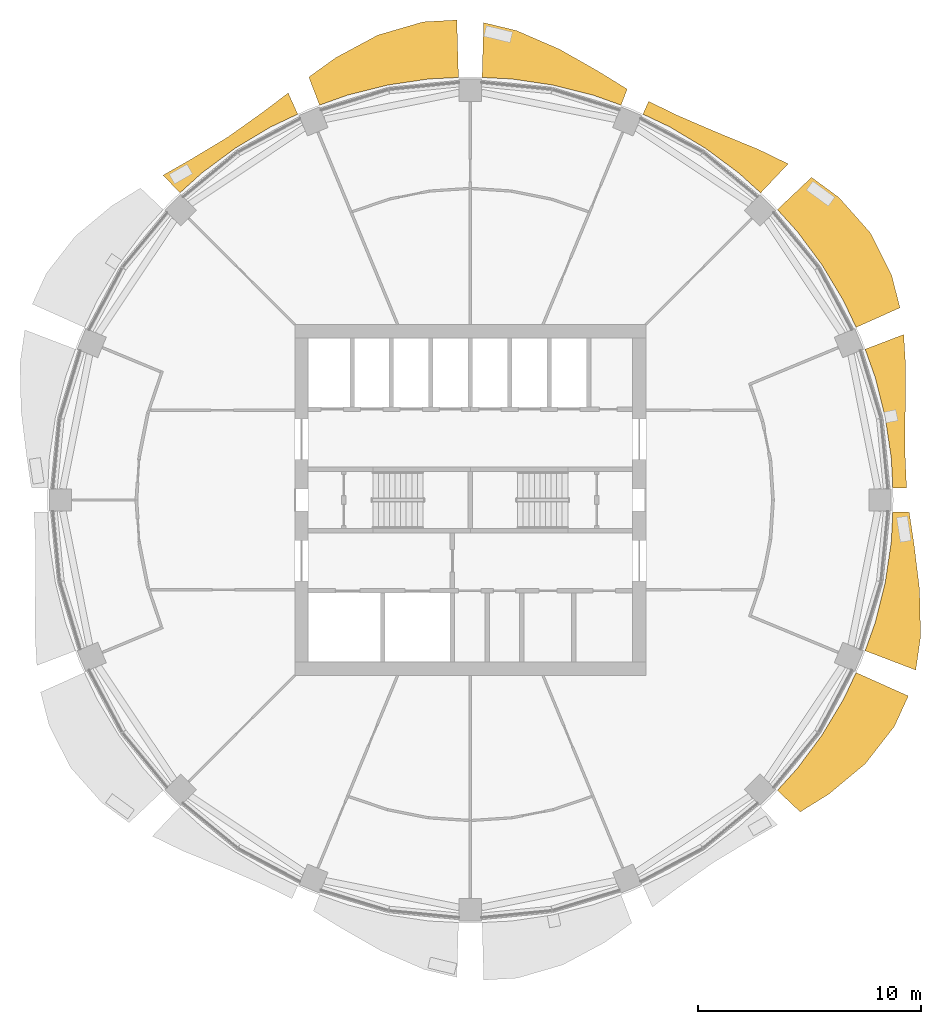
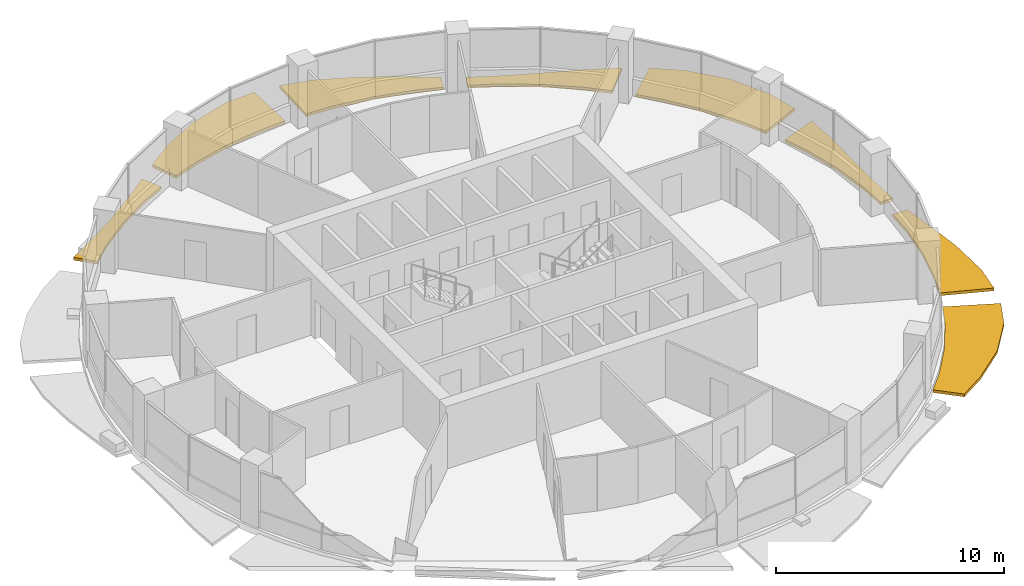
# One storey, part 14 of 15: 8 shading devices.
"""IFC4 building model written with IfcOpenShell, lengths in metres."""

from ifc_helpers import new_model, si_unit, direction, frame, origin, place, context, subcontext, project, spatial, polyline, outline, extrude, material, type_object, element, save


model = new_model("IFC4")

# Units and contexts
model_context = context("Model", 3, precision=1e-05, world=origin(), true_north=direction((0.0, 1.0)))
body_context = subcontext(model_context, "Body", "Model", "MODEL_VIEW")
ifc_project = project(units=[si_unit("LENGTHUNIT", "METRE"), si_unit("AREAUNIT", "SQUARE_METRE"), si_unit("VOLUMEUNIT", "CUBIC_METRE"), si_unit("PLANEANGLEUNIT", "RADIAN"), si_unit("MASSUNIT", "GRAM", prefix="KILO")], contexts=[model_context])

# Site, building, storey
site_placement = place(None, origin())
site = spatial("IfcSite", under=ifc_project, at=site_placement, CompositionType="ELEMENT")
building_placement = place(site_placement, origin())
building = spatial("IfcBuilding", under=site, at=building_placement, Name="Polderwave Tower", CompositionType="ELEMENT")
storey_placement = place(building_placement, frame((0.0, 0.0, 134.35009765625)))
storey = spatial("IfcBuildingStorey", under=building, at=storey_placement, Name="L35", CompositionType="ELEMENT", Elevation=134.35009765625)

# Shading devices
ifc_material = material(Name="Terracotta", Category="masonry")
shading_device_type = type_object("IfcShadingDeviceType", Name="Terracotta sunshade band", PredefinedType="USERDEFINED", material=ifc_material)
shading_device_1_placement = place(storey_placement, frame((0.0, 0.0, -0.35009765625)))
element("IfcShadingDevice", 1, at=shading_device_1_placement, inside=storey, type_object=shading_device_type, Name="Sunshade band L35 1", ObjectType="SUNSHADE", PredefinedType="USERDEFINED", context=body_context, shape_type="SweptSolid", body=[
    extrude(outline(polyline([(18.9541015625, 0.530029296875), (18.888671875, 1.8603515625), (18.615234375, 3.702880859375), (18.16259765625, 5.509521484375), (17.714111328125, 6.763671875), (19.4443359375, 7.42431640625), (19.535400390625, 5.926025390625), (19.51220703125, 3.881103515625), (19.510986328125, 1.921630859375), (19.57275390625, 0.54736328125), (18.9541015625, 0.530029296875)])), origin(), (0.0, 0.0, 1.0), 0.14990234375),
])
shading_device_2_placement = place(storey_placement, frame((0.0, 0.0, -0.35009765625)))
element("IfcShadingDevice", 2, at=shading_device_2_placement, inside=storey, type_object=shading_device_type, Name="Sunshade band L35 2", ObjectType="SUNSHADE", PredefinedType="USERDEFINED", context=body_context, shape_type="SweptSolid", body=[
    extrude(outline(polyline([(17.308349609375, 7.7431640625), (16.739013671875, 8.947021484375), (15.78125, 10.544677734375), (14.671630859375, 12.040771484375), (13.77734375, 13.027587890625), (15.3076171875, 14.474609375), (16.5380859375, 13.572509765625), (17.942626953125, 11.989013671875), (18.8974609375, 10.100830078125), (19.277099609375, 8.623779296875), (17.308349609375, 7.7431640625)])), origin(), (0.0, 0.0, 1.0), 0.14990234375),
])
shading_device_3_placement = place(storey_placement, frame((0.0, 0.0, -0.35009765625)))
element("IfcShadingDevice", 3, at=shading_device_3_placement, inside=storey, type_object=shading_device_type, Name="Sunshade band L35 3", ObjectType="SUNSHADE", PredefinedType="USERDEFINED", context=body_context, shape_type="SweptSolid", body=[
    extrude(outline(polyline([(13.027587890625, 13.77734375), (12.040771484375, 14.671630859375), (10.544677734375, 15.78125), (8.947021484375, 16.739013671875), (7.7431640625, 17.308349609375), (8.001220703125, 17.885498046875), (9.236572265625, 17.2802734375), (11.029296875, 16.50634765625), (12.91357421875, 15.735107421875), (14.26025390625, 15.080810546875), (13.027587890625, 13.77734375)])), origin(), (0.0, 0.0, 1.0), 0.14990234375),
])
shading_device_4_placement = place(storey_placement, frame((0.0, 0.0, -0.35009765625)))
element("IfcShadingDevice", 4, at=shading_device_4_placement, inside=storey, type_object=shading_device_type, Name="Sunshade band L35 4", ObjectType="SUNSHADE", PredefinedType="USERDEFINED", context=body_context, shape_type="SweptSolid", body=[
    extrude(outline(polyline([(6.763671875, 17.714111328125), (5.509521484375, 18.16259765625), (3.702880859375, 18.615234375), (1.8603515625, 18.888671875), (0.530029296875, 18.9541015625), (0.598876953125, 21.41552734375), (2.07421875, 21.058349609375), (4.020751953125, 20.2138671875), (5.820068359375, 19.186279296875), (7.0380859375, 18.4326171875), (6.763671875, 17.714111328125)])), origin(), (0.0, 0.0, 1.0), 0.14990234375),
])
shading_device_5_placement = place(storey_placement, frame((0.0, 0.0, -0.35009765625)))
element("IfcShadingDevice", 5, at=shading_device_5_placement, inside=storey, type_object=shading_device_type, Name="Sunshade band L35 5", ObjectType="SUNSHADE", PredefinedType="USERDEFINED", context=body_context, shape_type="SweptSolid", body=[
    extrude(outline(polyline([(-0.530029296875, 18.9541015625), (-1.8603515625, 18.888671875), (-3.702880859375, 18.615234375), (-5.509521484375, 18.16259765625), (-6.763671875, 17.714111328125), (-7.244384765625, 18.97314453125), (-6.022216796875, 19.852294921875), (-4.148681640625, 20.85693359375), (-2.11279296875, 21.45068359375), (-0.602294921875, 21.533935546875), (-0.530029296875, 18.9541015625)])), origin(), (0.0, 0.0, 1.0), 0.14990234375),
])
shading_device_6_placement = place(storey_placement, frame((0.0, 0.0, -0.35009765625)))
element("IfcShadingDevice", 6, at=shading_device_6_placement, inside=storey, type_object=shading_device_type, Name="Sunshade band L35 6", ObjectType="SUNSHADE", PredefinedType="USERDEFINED", context=body_context, shape_type="SweptSolid", body=[
    extrude(outline(polyline([(-7.7431640625, 17.308349609375), (-8.947021484375, 16.739013671875), (-10.544677734375, 15.78125), (-12.040771484375, 14.671630859375), (-13.027587890625, 13.77734375), (-13.779296875, 14.572265625), (-12.5390625, 15.27880859375), (-10.87841796875, 16.280517578125), (-9.3017578125, 17.40234375), (-8.169189453125, 18.2607421875), (-7.7431640625, 17.308349609375)])), origin(), (0.0, 0.0, 1.0), 0.14990234375),
])
shading_device_7_placement = place(storey_placement, frame((0.0, 0.0, -0.35009765625)))
element("IfcShadingDevice", 7, at=shading_device_7_placement, inside=storey, type_object=shading_device_type, Name="Sunshade band L35 15", ObjectType="SUNSHADE", PredefinedType="USERDEFINED", context=body_context, shape_type="SweptSolid", body=[
    extrude(outline(polyline([(13.77734375, -13.027587890625), (14.671630859375, -12.040771484375), (15.78125, -10.544677734375), (16.739013671875, -8.947021484375), (17.308349609375, -7.7431640625), (19.652099609375, -8.79150390625), (19.019775390625, -10.166259765625), (17.716796875, -11.837890625), (16.08203125, -13.197998046875), (14.799072265625, -13.993896484375), (13.77734375, -13.027587890625)])), origin(), (0.0, 0.0, 1.0), 0.14990234375),
])
shading_device_8_placement = place(storey_placement, frame((0.0, 0.0, -0.35009765625)))
element("IfcShadingDevice", 8, at=shading_device_8_placement, inside=storey, type_object=shading_device_type, Name="Sunshade band L35 16", ObjectType="SUNSHADE", PredefinedType="USERDEFINED", context=body_context, shape_type="SweptSolid", body=[
    extrude(outline(polyline([(17.714111328125, -6.763671875), (18.16259765625, -5.509521484375), (18.615234375, -3.702880859375), (18.888671875, -1.8603515625), (18.9541015625, -0.530029296875), (19.691162109375, -0.550537109375), (19.903564453125, -1.960205078125), (20.1552734375, -4.009033203125), (20.201416015625, -6.1279296875), (19.98486328125, -7.630615234375), (17.714111328125, -6.763671875)])), origin(), (0.0, 0.0, 1.0), 0.14990234375),
])

save(model, "model.ifc")
